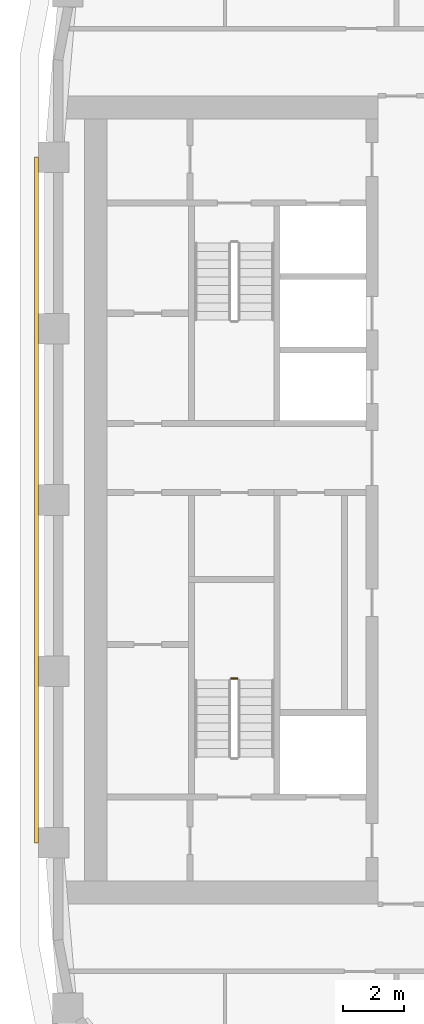
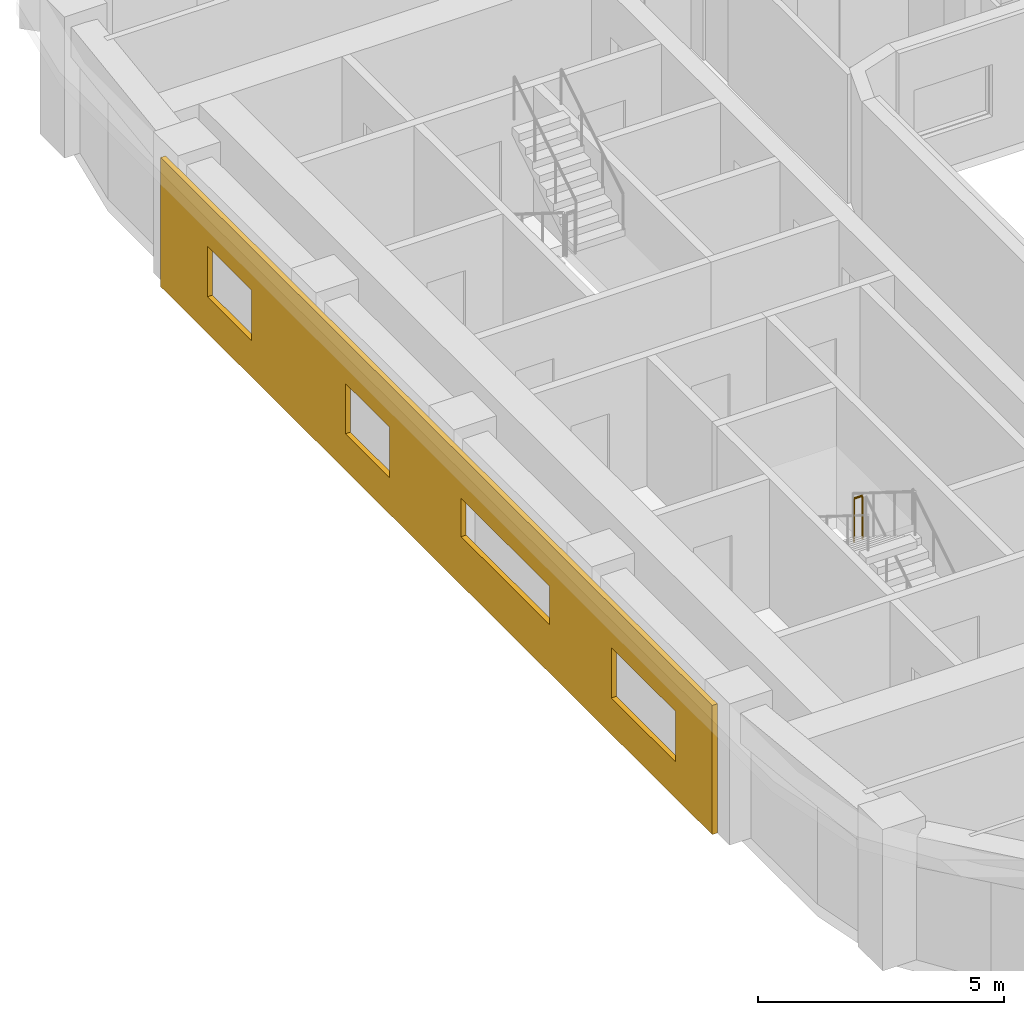
# One storey, part 13 of 22: 1 covering, 1 railing.
"""IFC4 building model written with IfcOpenShell, lengths in metres."""

from ifc_helpers import new_model, si_unit, direction, frame, origin, origin_2d, place, context, subcontext, project, spatial, polyline, circle, outline, extrude, material, layer, layer_set, type_object, element, save


model = new_model("IFC4")

# Units and contexts
model_context = context("Model", 3, precision=1e-05, world=origin(), true_north=direction((0.0, 1.0)))
body_context = subcontext(model_context, "Body", "Model", "MODEL_VIEW")
ifc_project = project(units=[si_unit("LENGTHUNIT", "METRE"), si_unit("AREAUNIT", "SQUARE_METRE"), si_unit("VOLUMEUNIT", "CUBIC_METRE"), si_unit("PLANEANGLEUNIT", "RADIAN"), si_unit("MASSUNIT", "GRAM", prefix="KILO")], contexts=[model_context])

# Site, building, storey
site_placement = place(None, origin())
site = spatial("IfcSite", under=ifc_project, at=site_placement, CompositionType="ELEMENT")
building_placement = place(site_placement, origin())
building = spatial("IfcBuilding", under=site, at=building_placement, Name="Kiln Ring Residences", CompositionType="ELEMENT")
storey_placement = place(building_placement, frame((0.0, 0.0, 164.10009765625)))
storey = spatial("IfcBuildingStorey", under=building, at=storey_placement, Name="L42", CompositionType="ELEMENT", Elevation=164.10009765625)

# Railing
ifc_material_1 = material(Name="Stainless steel", Category="steel")
railing_type = type_object("IfcRailingType", Name="CORE-STAIR-GUARD", PredefinedType="GUARDRAIL", material=ifc_material_1)
railing_placement = place(storey_placement, frame((-22.0, -5.830078125, 1.75)))
element("IfcRailing", 1, at=railing_placement, inside=storey, type_object=railing_type, Name="L42 W-STS stair guard 2", PredefinedType="GUARDRAIL", context=body_context, shape_type="SweptSolid", body=[
    extrude(circle(Radius=0.02392578125, at=origin_2d()), frame((0.0, 0.0, 1.076171875), z_axis=(-1.0, 0.0, 0.0), x_axis=(0.0, -1.0, 0.0)), (0.0, 0.0, 1.0), 0.199951171875),
    extrude(circle(Radius=0.02099609375, at=origin_2d()), origin(), (0.0, 0.0, 1.0), 1.052001953125),
    extrude(circle(Radius=0.02099609375, at=origin_2d()), frame((-0.199951171875, 0.0, 0.0)), (0.0, 0.0, 1.0), 1.052001953125),
])

# Covering
ifc_material_2 = material(Name="Brick masonry, dark clay brick", Category="masonry")
ifc_layer = layer(ifc_material_2, 0.1201171875)
ifc_layer_set = layer_set([ifc_layer], Name="RAINSCREEN PANEL 120")
covering_type = type_object("IfcCoveringType", Name="RAINSCREEN PANEL 120", PredefinedType="CLADDING", material=ifc_layer_set)
covering_placement = place(storey_placement, frame((-28.56005859375, 11.199951171875, 0.0), z_axis=(0.0, 0.0, 1.0), x_axis=(0.0, -1.0, 0.0)))
element("IfcCovering", 2, at=covering_placement, inside=storey, type_object=covering_type, Name="RAINSCREEN L42", PredefinedType="CLADDING", context=body_context, shape_type="SweptSolid", body=[
    extrude(outline(polyline([(0.0, 0.0), (22.39990234375, 0.0), (22.39990234375, 3.199951171875), (0.0, 3.199951171875), (0.0, 0.0)]), holes=[polyline([(3.699951171875, 0.89990234375), (3.699951171875, 2.14990234375), (1.89990234375, 2.14990234375), (1.89990234375, 0.89990234375), (3.699951171875, 0.89990234375)]), polyline([(9.300048828125, 0.89990234375), (9.300048828125, 2.14990234375), (7.5, 2.14990234375), (7.5, 0.89990234375), (9.300048828125, 0.89990234375)]), polyline([(20.89990234375, 0.89990234375), (20.89990234375, 2.14990234375), (18.300048828125, 2.14990234375), (18.300048828125, 0.89990234375), (20.89990234375, 0.89990234375)]), polyline([(15.800048828125, 1.199951171875), (15.800048828125, 2.14990234375), (12.199951171875, 2.14990234375), (12.199951171875, 1.199951171875), (15.800048828125, 1.199951171875)])]), frame((0.0, 0.06005859375, 0.0), z_axis=(0.0, -1.0, 0.0), x_axis=(1.0, 0.0, 0.0)), (0.0, 0.0, 1.0), 0.1201171875),
])

save(model, "model.ifc")
